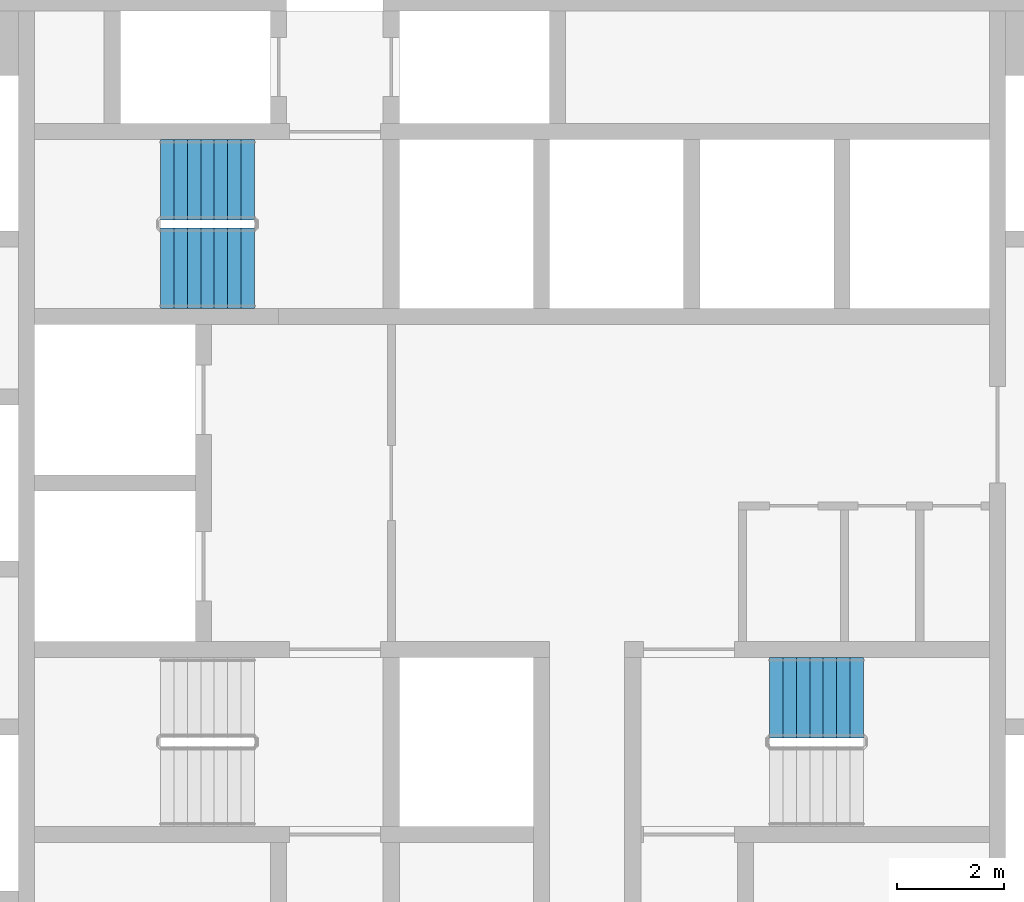
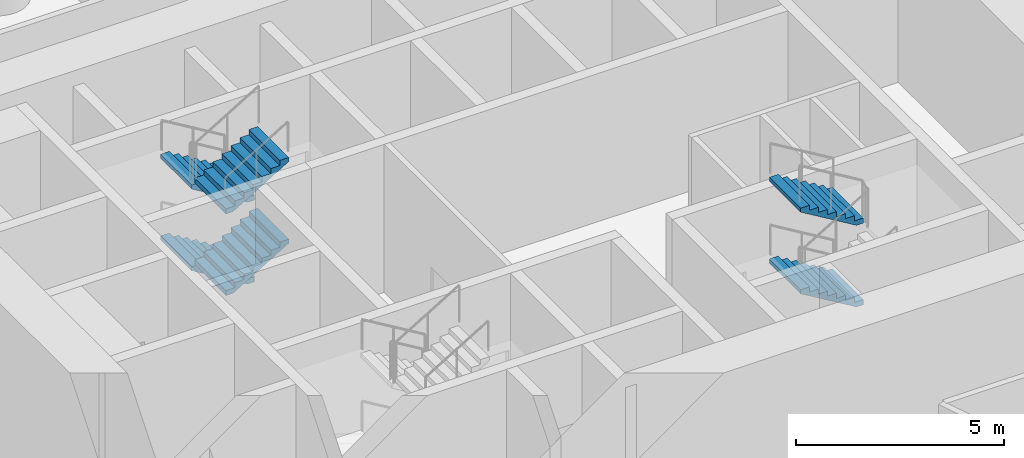
# One storey, part 10 of 11: 6 stair flights, 2 elements without a shape of their own.
"""IFC4 building model written with IfcOpenShell, lengths in metres."""

from ifc_helpers import new_model, si_unit, direction, frame, origin, place, context, subcontext, project, spatial, polyline, outline, extrude, material, type_object, element, aggregate, save


model = new_model("IFC4")

# Units and contexts
model_context = context("Model", 3, precision=1e-05, world=origin(), true_north=direction((0.0, 1.0)))
body_context = subcontext(model_context, "Body", "Model", "MODEL_VIEW")
ifc_project = project(units=[si_unit("LENGTHUNIT", "METRE"), si_unit("AREAUNIT", "SQUARE_METRE"), si_unit("VOLUMEUNIT", "CUBIC_METRE"), si_unit("PLANEANGLEUNIT", "RADIAN"), si_unit("MASSUNIT", "GRAM", prefix="KILO")], contexts=[model_context])

# Site, building, storey
site_placement = place(None, origin())
site = spatial("IfcSite", under=ifc_project, at=site_placement, CompositionType="ELEMENT")
building_placement = place(site_placement, origin())
building = spatial("IfcBuilding", under=site, at=building_placement, Name="Tracery Tower", CompositionType="ELEMENT")
storey_placement = place(building_placement, frame((0.0, 0.0, 9.0)))
storey = spatial("IfcBuildingStorey", under=building, at=storey_placement, Name="L01", CompositionType="ELEMENT", Elevation=9.0)

# Stair, stair flights
ifc_material_1 = material(Name="Concrete C32/40", Category="concrete")
stair_type = type_object("IfcStairType", Name="Core stair 32 risers", PredefinedType="HALF_TURN_STAIR", material=ifc_material_1)
stair_1_placement = place(storey_placement, origin())
stair_1 = element("IfcStair", 1, at=stair_1_placement, inside=storey, type_object=stair_type, Name="L01 stair ST3", PredefinedType="HALF_TURN_STAIR")
ifc_material_2 = material(Name="Concrete C32/40", Category="concrete")
stair_flight_type = type_object("IfcStairFlightType", Name="Core stair flight 8 risers", PredefinedType="STRAIGHT", material=ifc_material_2)
stair_flight_1_placement = place(storey_placement, frame((-4.800048828125, 5.64990234375, 0.0), z_axis=(0.0, 0.0, 1.0), x_axis=(-1.0, 0.0, 0.0)))
stair_flight_1 = element("IfcStairFlight", 2, at=stair_flight_1_placement, type_object=stair_flight_type, Name="ST3 flight 1", NumberOfRisers=8, NumberOfTreads=7, PredefinedType="STRAIGHT", RiserHeight=0.15, TreadLength=0.25, context=body_context, shape_type="SweptSolid", body=[
    extrude(outline(polyline([(0.0, 0.0), (0.0, 0.00244140625), (0.0, 0.0048828125), (0.0, 0.00732421875), (0.0, 0.009765625), (0.0, 0.01220703125), (0.0, 0.0146484375), (0.0, 0.017333984375), (0.0, 0.019775390625), (0.0, 0.022216796875), (0.0, 0.024658203125), (0.0, 0.027099609375), (0.0, 0.029541015625), (0.0, 0.031982421875), (0.0, 0.034423828125), (0.0, 0.036865234375), (0.0, 0.039306640625), (0.0, 0.041748046875), (0.0, 0.044189453125), (0.0, 0.046630859375), (0.0, 0.049072265625), (0.0, 0.0517578125), (0.0, 0.05419921875), (0.0, 0.056640625), (0.0, 0.05908203125), (0.0, 0.0615234375), (0.0, 0.06396484375), (0.0, 0.06640625), (0.0, 0.06884765625), (0.0, 0.0712890625), (0.0, 0.07373046875), (0.0, 0.076171875), (0.0, 0.07861328125), (0.0, 0.0810546875), (0.0, 0.08349609375), (0.0, 0.086181640625), (0.0, 0.088623046875), (0.0, 0.091064453125), (0.0, 0.093505859375), (0.0, 0.095947265625), (0.0, 0.098388671875), (0.0, 0.100830078125), (0.0, 0.103271484375), (0.0, 0.105712890625), (0.0, 0.108154296875), (0.0, 0.110595703125), (0.0, 0.113037109375), (0.0, 0.115478515625), (0.0, 0.117919921875), (0.0, 0.12060546875), (0.0, 0.123046875), (0.0, 0.12548828125), (0.0, 0.1279296875), (0.0, 0.13037109375), (0.0, 0.1328125), (0.0, 0.13525390625), (0.0, 0.1376953125), (0.0, 0.14013671875), (0.0, 0.142578125), (0.0, 0.14501953125), (0.0, 0.1474609375), (0.0, 0.14990234375), (0.25, 0.14990234375), (0.25, 0.300048828125), (0.5, 0.300048828125), (0.5, 0.449951171875), (0.75, 0.449951171875), (0.75, 0.60009765625), (1.0, 0.60009765625), (1.0, 0.75), (1.25, 0.75), (1.25, 0.89990234375), (1.5, 0.89990234375), (1.5, 1.050048828125), (1.75, 1.050048828125), (1.75, 1.048095703125), (1.75, 1.046142578125), (1.75, 1.044189453125), (1.75, 1.042236328125), (1.75, 1.04052734375), (1.75, 1.03857421875), (1.75, 1.03662109375), (1.75, 1.03466796875), (1.75, 1.03271484375), (1.75, 1.03076171875), (1.75, 1.029052734375), (1.75, 1.027099609375), (1.75, 1.025146484375), (1.75, 1.023193359375), (1.75, 1.021240234375), (1.75, 1.019287109375), (1.75, 1.017578125), (1.75, 1.015625), (1.75, 1.013671875), (1.75, 1.01171875), (1.75, 1.009765625), (1.75, 1.0078125), (1.75, 1.006103515625), (1.75, 1.004150390625), (1.75, 1.002197265625), (1.75, 1.000244140625), (1.75, 0.998291015625), (1.75, 0.996337890625), (1.75, 0.994384765625), (1.75, 0.99267578125), (1.75, 0.99072265625), (1.75, 0.98876953125), (1.75, 0.98681640625), (1.75, 0.98486328125), (1.75, 0.98291015625), (1.75, 0.981201171875), (1.75, 0.979248046875), (1.75, 0.977294921875), (1.75, 0.975341796875), (1.75, 0.973388671875), (1.75, 0.971435546875), (1.75, 0.9697265625), (1.75, 0.9677734375), (1.75, 0.9658203125), (1.75, 0.9638671875), (1.75, 0.9619140625), (1.75, 0.9599609375), (1.75, 0.958251953125), (1.75, 0.956298828125), (1.75, 0.954345703125), (1.75, 0.952392578125), (1.75, 0.950439453125), (1.75, 0.948486328125), (1.75, 0.94677734375), (1.75, 0.94482421875), (1.75, 0.94287109375), (1.75, 0.94091796875), (1.75, 0.93896484375), (1.75, 0.93701171875), (1.75, 0.935302734375), (1.75, 0.933349609375), (0.194580078125, 0.0), (0.0, 0.0)])), frame((0.0, 0.75, 0.0), z_axis=(0.0, -1.0, 0.0), x_axis=(1.0, 0.0, 0.0)), (0.0, 0.0, 1.0), 1.5),
])
stair_flight_2_placement = place(storey_placement, frame((-6.550048828125, 4.0, 1.199951171875), z_axis=(0.0, 0.0, 1.0), x_axis=(1.0, 0.0, 0.0)))
stair_flight_2 = element("IfcStairFlight", 3, at=stair_flight_2_placement, type_object=stair_flight_type, Name="ST3 flight 2", NumberOfRisers=8, NumberOfTreads=7, PredefinedType="STRAIGHT", RiserHeight=0.15, TreadLength=0.25, context=body_context, shape_type="SweptSolid", body=[
    extrude(outline(polyline([(0.0, 0.0), (0.0, 0.00244140625), (0.0, 0.0048828125), (0.0, 0.00732421875), (0.0, 0.009765625), (0.0, 0.01220703125), (0.0, 0.0146484375), (0.0, 0.017333984375), (0.0, 0.019775390625), (0.0, 0.022216796875), (0.0, 0.024658203125), (0.0, 0.027099609375), (0.0, 0.029541015625), (0.0, 0.031982421875), (0.0, 0.034423828125), (0.0, 0.036865234375), (0.0, 0.039306640625), (0.0, 0.041748046875), (0.0, 0.044189453125), (0.0, 0.046630859375), (0.0, 0.049072265625), (0.0, 0.0517578125), (0.0, 0.05419921875), (0.0, 0.056640625), (0.0, 0.05908203125), (0.0, 0.0615234375), (0.0, 0.06396484375), (0.0, 0.06640625), (0.0, 0.06884765625), (0.0, 0.0712890625), (0.0, 0.07373046875), (0.0, 0.076171875), (0.0, 0.07861328125), (0.0, 0.0810546875), (0.0, 0.08349609375), (0.0, 0.086181640625), (0.0, 0.088623046875), (0.0, 0.091064453125), (0.0, 0.093505859375), (0.0, 0.095947265625), (0.0, 0.098388671875), (0.0, 0.100830078125), (0.0, 0.103271484375), (0.0, 0.105712890625), (0.0, 0.108154296875), (0.0, 0.110595703125), (0.0, 0.113037109375), (0.0, 0.115478515625), (0.0, 0.117919921875), (0.0, 0.12060546875), (0.0, 0.123046875), (0.0, 0.12548828125), (0.0, 0.1279296875), (0.0, 0.13037109375), (0.0, 0.1328125), (0.0, 0.13525390625), (0.0, 0.1376953125), (0.0, 0.14013671875), (0.0, 0.142578125), (0.0, 0.14501953125), (0.0, 0.1474609375), (0.0, 0.14990234375), (0.25, 0.14990234375), (0.25, 0.300048828125), (0.5, 0.300048828125), (0.5, 0.449951171875), (0.75, 0.449951171875), (0.75, 0.60009765625), (1.0, 0.60009765625), (1.0, 0.75), (1.25, 0.75), (1.25, 0.89990234375), (1.5, 0.89990234375), (1.5, 1.050048828125), (1.75, 1.050048828125), (1.75, 1.048095703125), (1.75, 1.046142578125), (1.75, 1.044189453125), (1.75, 1.042236328125), (1.75, 1.04052734375), (1.75, 1.03857421875), (1.75, 1.03662109375), (1.75, 1.03466796875), (1.75, 1.03271484375), (1.75, 1.03076171875), (1.75, 1.029052734375), (1.75, 1.027099609375), (1.75, 1.025146484375), (1.75, 1.023193359375), (1.75, 1.021240234375), (1.75, 1.019287109375), (1.75, 1.017578125), (1.75, 1.015625), (1.75, 1.013671875), (1.75, 1.01171875), (1.75, 1.009765625), (1.75, 1.0078125), (1.75, 1.006103515625), (1.75, 1.004150390625), (1.75, 1.002197265625), (1.75, 1.000244140625), (1.75, 0.998291015625), (1.75, 0.996337890625), (1.75, 0.994384765625), (1.75, 0.99267578125), (1.75, 0.99072265625), (1.75, 0.98876953125), (1.75, 0.98681640625), (1.75, 0.98486328125), (1.75, 0.98291015625), (1.75, 0.981201171875), (1.75, 0.979248046875), (1.75, 0.977294921875), (1.75, 0.975341796875), (1.75, 0.973388671875), (1.75, 0.971435546875), (1.75, 0.9697265625), (1.75, 0.9677734375), (1.75, 0.9658203125), (1.75, 0.9638671875), (1.75, 0.9619140625), (1.75, 0.9599609375), (1.75, 0.958251953125), (1.75, 0.956298828125), (1.75, 0.954345703125), (1.75, 0.952392578125), (1.75, 0.950439453125), (1.75, 0.948486328125), (1.75, 0.94677734375), (1.75, 0.94482421875), (1.75, 0.94287109375), (1.75, 0.94091796875), (1.75, 0.93896484375), (1.75, 0.93701171875), (1.75, 0.935302734375), (1.75, 0.933349609375), (0.194580078125, 0.0), (0.0, 0.0)])), frame((0.0, 0.75, 0.0), z_axis=(0.0, -1.0, 0.0), x_axis=(1.0, 0.0, 0.0)), (0.0, 0.0, 1.0), 1.5),
])
stair_flight_3_placement = place(storey_placement, frame((-4.800048828125, 5.64990234375, 2.39990234375), z_axis=(0.0, 0.0, 1.0), x_axis=(-1.0, 0.0, 0.0)))
stair_flight_3 = element("IfcStairFlight", 4, at=stair_flight_3_placement, type_object=stair_flight_type, Name="ST3 flight 3", NumberOfRisers=8, NumberOfTreads=7, PredefinedType="STRAIGHT", RiserHeight=0.15, TreadLength=0.25, context=body_context, shape_type="SweptSolid", body=[
    extrude(outline(polyline([(0.0, 0.0), (0.0, 0.00244140625), (0.0, 0.0048828125), (0.0, 0.00732421875), (0.0, 0.009765625), (0.0, 0.01220703125), (0.0, 0.0146484375), (0.0, 0.017333984375), (0.0, 0.019775390625), (0.0, 0.022216796875), (0.0, 0.024658203125), (0.0, 0.027099609375), (0.0, 0.029541015625), (0.0, 0.031982421875), (0.0, 0.034423828125), (0.0, 0.036865234375), (0.0, 0.039306640625), (0.0, 0.041748046875), (0.0, 0.044189453125), (0.0, 0.046630859375), (0.0, 0.049072265625), (0.0, 0.0517578125), (0.0, 0.05419921875), (0.0, 0.056640625), (0.0, 0.05908203125), (0.0, 0.0615234375), (0.0, 0.06396484375), (0.0, 0.06640625), (0.0, 0.06884765625), (0.0, 0.0712890625), (0.0, 0.07373046875), (0.0, 0.076171875), (0.0, 0.07861328125), (0.0, 0.0810546875), (0.0, 0.08349609375), (0.0, 0.086181640625), (0.0, 0.088623046875), (0.0, 0.091064453125), (0.0, 0.093505859375), (0.0, 0.095947265625), (0.0, 0.098388671875), (0.0, 0.100830078125), (0.0, 0.103271484375), (0.0, 0.105712890625), (0.0, 0.108154296875), (0.0, 0.110595703125), (0.0, 0.113037109375), (0.0, 0.115478515625), (0.0, 0.117919921875), (0.0, 0.12060546875), (0.0, 0.123046875), (0.0, 0.12548828125), (0.0, 0.1279296875), (0.0, 0.13037109375), (0.0, 0.1328125), (0.0, 0.13525390625), (0.0, 0.1376953125), (0.0, 0.14013671875), (0.0, 0.142578125), (0.0, 0.14501953125), (0.0, 0.1474609375), (0.0, 0.14990234375), (0.25, 0.14990234375), (0.25, 0.300048828125), (0.5, 0.300048828125), (0.5, 0.449951171875), (0.75, 0.449951171875), (0.75, 0.60009765625), (1.0, 0.60009765625), (1.0, 0.75), (1.25, 0.75), (1.25, 0.89990234375), (1.5, 0.89990234375), (1.5, 1.050048828125), (1.75, 1.050048828125), (1.75, 1.048095703125), (1.75, 1.046142578125), (1.75, 1.044189453125), (1.75, 1.042236328125), (1.75, 1.04052734375), (1.75, 1.03857421875), (1.75, 1.03662109375), (1.75, 1.03466796875), (1.75, 1.03271484375), (1.75, 1.03076171875), (1.75, 1.029052734375), (1.75, 1.027099609375), (1.75, 1.025146484375), (1.75, 1.023193359375), (1.75, 1.021240234375), (1.75, 1.019287109375), (1.75, 1.017578125), (1.75, 1.015625), (1.75, 1.013671875), (1.75, 1.01171875), (1.75, 1.009765625), (1.75, 1.0078125), (1.75, 1.006103515625), (1.75, 1.004150390625), (1.75, 1.002197265625), (1.75, 1.000244140625), (1.75, 0.998291015625), (1.75, 0.996337890625), (1.75, 0.994384765625), (1.75, 0.99267578125), (1.75, 0.99072265625), (1.75, 0.98876953125), (1.75, 0.98681640625), (1.75, 0.98486328125), (1.75, 0.98291015625), (1.75, 0.981201171875), (1.75, 0.979248046875), (1.75, 0.977294921875), (1.75, 0.975341796875), (1.75, 0.973388671875), (1.75, 0.971435546875), (1.75, 0.9697265625), (1.75, 0.9677734375), (1.75, 0.9658203125), (1.75, 0.9638671875), (1.75, 0.9619140625), (1.75, 0.9599609375), (1.75, 0.958251953125), (1.75, 0.956298828125), (1.75, 0.954345703125), (1.75, 0.952392578125), (1.75, 0.950439453125), (1.75, 0.948486328125), (1.75, 0.94677734375), (1.75, 0.94482421875), (1.75, 0.94287109375), (1.75, 0.94091796875), (1.75, 0.93896484375), (1.75, 0.93701171875), (1.75, 0.935302734375), (1.75, 0.933349609375), (0.194580078125, 0.0), (0.0, 0.0)])), frame((0.0, 0.75, 0.0), z_axis=(0.0, -1.0, 0.0), x_axis=(1.0, 0.0, 0.0)), (0.0, 0.0, 1.0), 1.5),
])
stair_flight_4_placement = place(storey_placement, frame((-6.550048828125, 4.0, 3.60009765625), z_axis=(0.0, 0.0, 1.0), x_axis=(1.0, 0.0, 0.0)))
stair_flight_4 = element("IfcStairFlight", 5, at=stair_flight_4_placement, type_object=stair_flight_type, Name="ST3 flight 4", NumberOfRisers=8, NumberOfTreads=7, PredefinedType="STRAIGHT", RiserHeight=0.15, TreadLength=0.25, context=body_context, shape_type="SweptSolid", body=[
    extrude(outline(polyline([(0.0, 0.0), (0.0, 0.00244140625), (0.0, 0.0048828125), (0.0, 0.00732421875), (0.0, 0.009765625), (0.0, 0.01220703125), (0.0, 0.0146484375), (0.0, 0.017333984375), (0.0, 0.019775390625), (0.0, 0.022216796875), (0.0, 0.024658203125), (0.0, 0.027099609375), (0.0, 0.029541015625), (0.0, 0.031982421875), (0.0, 0.034423828125), (0.0, 0.036865234375), (0.0, 0.039306640625), (0.0, 0.041748046875), (0.0, 0.044189453125), (0.0, 0.046630859375), (0.0, 0.049072265625), (0.0, 0.0517578125), (0.0, 0.05419921875), (0.0, 0.056640625), (0.0, 0.05908203125), (0.0, 0.0615234375), (0.0, 0.06396484375), (0.0, 0.06640625), (0.0, 0.06884765625), (0.0, 0.0712890625), (0.0, 0.07373046875), (0.0, 0.076171875), (0.0, 0.07861328125), (0.0, 0.0810546875), (0.0, 0.08349609375), (0.0, 0.086181640625), (0.0, 0.088623046875), (0.0, 0.091064453125), (0.0, 0.093505859375), (0.0, 0.095947265625), (0.0, 0.098388671875), (0.0, 0.100830078125), (0.0, 0.103271484375), (0.0, 0.105712890625), (0.0, 0.108154296875), (0.0, 0.110595703125), (0.0, 0.113037109375), (0.0, 0.115478515625), (0.0, 0.117919921875), (0.0, 0.12060546875), (0.0, 0.123046875), (0.0, 0.12548828125), (0.0, 0.1279296875), (0.0, 0.13037109375), (0.0, 0.1328125), (0.0, 0.13525390625), (0.0, 0.1376953125), (0.0, 0.14013671875), (0.0, 0.142578125), (0.0, 0.14501953125), (0.0, 0.1474609375), (0.0, 0.14990234375), (0.25, 0.14990234375), (0.25, 0.300048828125), (0.5, 0.300048828125), (0.5, 0.449951171875), (0.75, 0.449951171875), (0.75, 0.60009765625), (1.0, 0.60009765625), (1.0, 0.75), (1.25, 0.75), (1.25, 0.89990234375), (1.5, 0.89990234375), (1.5, 1.050048828125), (1.75, 1.050048828125), (1.75, 1.048095703125), (1.75, 1.046142578125), (1.75, 1.044189453125), (1.75, 1.042236328125), (1.75, 1.04052734375), (1.75, 1.03857421875), (1.75, 1.03662109375), (1.75, 1.03466796875), (1.75, 1.03271484375), (1.75, 1.03076171875), (1.75, 1.029052734375), (1.75, 1.027099609375), (1.75, 1.025146484375), (1.75, 1.023193359375), (1.75, 1.021240234375), (1.75, 1.019287109375), (1.75, 1.017578125), (1.75, 1.015625), (1.75, 1.013671875), (1.75, 1.01171875), (1.75, 1.009765625), (1.75, 1.0078125), (1.75, 1.006103515625), (1.75, 1.004150390625), (1.75, 1.002197265625), (1.75, 1.000244140625), (1.75, 0.998291015625), (1.75, 0.996337890625), (1.75, 0.994384765625), (1.75, 0.99267578125), (1.75, 0.99072265625), (1.75, 0.98876953125), (1.75, 0.98681640625), (1.75, 0.98486328125), (1.75, 0.98291015625), (1.75, 0.981201171875), (1.75, 0.979248046875), (1.75, 0.977294921875), (1.75, 0.975341796875), (1.75, 0.973388671875), (1.75, 0.971435546875), (1.75, 0.9697265625), (1.75, 0.9677734375), (1.75, 0.9658203125), (1.75, 0.9638671875), (1.75, 0.9619140625), (1.75, 0.9599609375), (1.75, 0.958251953125), (1.75, 0.956298828125), (1.75, 0.954345703125), (1.75, 0.952392578125), (1.75, 0.950439453125), (1.75, 0.948486328125), (1.75, 0.94677734375), (1.75, 0.94482421875), (1.75, 0.94287109375), (1.75, 0.94091796875), (1.75, 0.93896484375), (1.75, 0.93701171875), (1.75, 0.935302734375), (1.75, 0.933349609375), (0.194580078125, 0.0), (0.0, 0.0)])), frame((0.0, 0.75, 0.0), z_axis=(0.0, -1.0, 0.0), x_axis=(1.0, 0.0, 0.0)), (0.0, 0.0, 1.0), 1.5),
])
aggregate(stair_1, [stair_flight_1, stair_flight_2, stair_flight_3, stair_flight_4])

stair_2_placement = place(storey_placement, origin())
stair_2 = element("IfcStair", 6, at=stair_2_placement, inside=storey, type_object=stair_type, Name="L01 stair ST2", PredefinedType="HALF_TURN_STAIR")
stair_flight_5_placement = place(storey_placement, frame((6.550048828125, -4.0, 1.199951171875), z_axis=(0.0, 0.0, 1.0), x_axis=(-1.0, 0.0, 0.0)))
stair_flight_5 = element("IfcStairFlight", 7, at=stair_flight_5_placement, type_object=stair_flight_type, Name="ST2 flight 2", NumberOfRisers=8, NumberOfTreads=7, PredefinedType="STRAIGHT", RiserHeight=0.15, TreadLength=0.25, context=body_context, shape_type="SweptSolid", body=[
    extrude(outline(polyline([(0.0, 0.0), (0.0, 0.00244140625), (0.0, 0.0048828125), (0.0, 0.00732421875), (0.0, 0.009765625), (0.0, 0.01220703125), (0.0, 0.0146484375), (0.0, 0.017333984375), (0.0, 0.019775390625), (0.0, 0.022216796875), (0.0, 0.024658203125), (0.0, 0.027099609375), (0.0, 0.029541015625), (0.0, 0.031982421875), (0.0, 0.034423828125), (0.0, 0.036865234375), (0.0, 0.039306640625), (0.0, 0.041748046875), (0.0, 0.044189453125), (0.0, 0.046630859375), (0.0, 0.049072265625), (0.0, 0.0517578125), (0.0, 0.05419921875), (0.0, 0.056640625), (0.0, 0.05908203125), (0.0, 0.0615234375), (0.0, 0.06396484375), (0.0, 0.06640625), (0.0, 0.06884765625), (0.0, 0.0712890625), (0.0, 0.07373046875), (0.0, 0.076171875), (0.0, 0.07861328125), (0.0, 0.0810546875), (0.0, 0.08349609375), (0.0, 0.086181640625), (0.0, 0.088623046875), (0.0, 0.091064453125), (0.0, 0.093505859375), (0.0, 0.095947265625), (0.0, 0.098388671875), (0.0, 0.100830078125), (0.0, 0.103271484375), (0.0, 0.105712890625), (0.0, 0.108154296875), (0.0, 0.110595703125), (0.0, 0.113037109375), (0.0, 0.115478515625), (0.0, 0.117919921875), (0.0, 0.12060546875), (0.0, 0.123046875), (0.0, 0.12548828125), (0.0, 0.1279296875), (0.0, 0.13037109375), (0.0, 0.1328125), (0.0, 0.13525390625), (0.0, 0.1376953125), (0.0, 0.14013671875), (0.0, 0.142578125), (0.0, 0.14501953125), (0.0, 0.1474609375), (0.0, 0.14990234375), (0.25, 0.14990234375), (0.25, 0.300048828125), (0.5, 0.300048828125), (0.5, 0.449951171875), (0.75, 0.449951171875), (0.75, 0.60009765625), (1.0, 0.60009765625), (1.0, 0.75), (1.25, 0.75), (1.25, 0.89990234375), (1.5, 0.89990234375), (1.5, 1.050048828125), (1.75, 1.050048828125), (1.75, 1.048095703125), (1.75, 1.046142578125), (1.75, 1.044189453125), (1.75, 1.042236328125), (1.75, 1.04052734375), (1.75, 1.03857421875), (1.75, 1.03662109375), (1.75, 1.03466796875), (1.75, 1.03271484375), (1.75, 1.03076171875), (1.75, 1.029052734375), (1.75, 1.027099609375), (1.75, 1.025146484375), (1.75, 1.023193359375), (1.75, 1.021240234375), (1.75, 1.019287109375), (1.75, 1.017578125), (1.75, 1.015625), (1.75, 1.013671875), (1.75, 1.01171875), (1.75, 1.009765625), (1.75, 1.0078125), (1.75, 1.006103515625), (1.75, 1.004150390625), (1.75, 1.002197265625), (1.75, 1.000244140625), (1.75, 0.998291015625), (1.75, 0.996337890625), (1.75, 0.994384765625), (1.75, 0.99267578125), (1.75, 0.99072265625), (1.75, 0.98876953125), (1.75, 0.98681640625), (1.75, 0.98486328125), (1.75, 0.98291015625), (1.75, 0.981201171875), (1.75, 0.979248046875), (1.75, 0.977294921875), (1.75, 0.975341796875), (1.75, 0.973388671875), (1.75, 0.971435546875), (1.75, 0.9697265625), (1.75, 0.9677734375), (1.75, 0.9658203125), (1.75, 0.9638671875), (1.75, 0.9619140625), (1.75, 0.9599609375), (1.75, 0.958251953125), (1.75, 0.956298828125), (1.75, 0.954345703125), (1.75, 0.952392578125), (1.75, 0.950439453125), (1.75, 0.948486328125), (1.75, 0.94677734375), (1.75, 0.94482421875), (1.75, 0.94287109375), (1.75, 0.94091796875), (1.75, 0.93896484375), (1.75, 0.93701171875), (1.75, 0.935302734375), (1.75, 0.933349609375), (0.194580078125, 0.0), (0.0, 0.0)])), frame((0.0, 0.75, 0.0), z_axis=(0.0, -1.0, 0.0), x_axis=(1.0, 0.0, 0.0)), (0.0, 0.0, 1.0), 1.5),
])
stair_flight_6_placement = place(storey_placement, frame((6.550048828125, -4.0, 3.60009765625), z_axis=(0.0, 0.0, 1.0), x_axis=(-1.0, 0.0, 0.0)))
stair_flight_6 = element("IfcStairFlight", 8, at=stair_flight_6_placement, type_object=stair_flight_type, Name="ST2 flight 4", NumberOfRisers=8, NumberOfTreads=7, PredefinedType="STRAIGHT", RiserHeight=0.15, TreadLength=0.25, context=body_context, shape_type="SweptSolid", body=[
    extrude(outline(polyline([(0.0, 0.0), (0.0, 0.00244140625), (0.0, 0.0048828125), (0.0, 0.00732421875), (0.0, 0.009765625), (0.0, 0.01220703125), (0.0, 0.0146484375), (0.0, 0.017333984375), (0.0, 0.019775390625), (0.0, 0.022216796875), (0.0, 0.024658203125), (0.0, 0.027099609375), (0.0, 0.029541015625), (0.0, 0.031982421875), (0.0, 0.034423828125), (0.0, 0.036865234375), (0.0, 0.039306640625), (0.0, 0.041748046875), (0.0, 0.044189453125), (0.0, 0.046630859375), (0.0, 0.049072265625), (0.0, 0.0517578125), (0.0, 0.05419921875), (0.0, 0.056640625), (0.0, 0.05908203125), (0.0, 0.0615234375), (0.0, 0.06396484375), (0.0, 0.06640625), (0.0, 0.06884765625), (0.0, 0.0712890625), (0.0, 0.07373046875), (0.0, 0.076171875), (0.0, 0.07861328125), (0.0, 0.0810546875), (0.0, 0.08349609375), (0.0, 0.086181640625), (0.0, 0.088623046875), (0.0, 0.091064453125), (0.0, 0.093505859375), (0.0, 0.095947265625), (0.0, 0.098388671875), (0.0, 0.100830078125), (0.0, 0.103271484375), (0.0, 0.105712890625), (0.0, 0.108154296875), (0.0, 0.110595703125), (0.0, 0.113037109375), (0.0, 0.115478515625), (0.0, 0.117919921875), (0.0, 0.12060546875), (0.0, 0.123046875), (0.0, 0.12548828125), (0.0, 0.1279296875), (0.0, 0.13037109375), (0.0, 0.1328125), (0.0, 0.13525390625), (0.0, 0.1376953125), (0.0, 0.14013671875), (0.0, 0.142578125), (0.0, 0.14501953125), (0.0, 0.1474609375), (0.0, 0.14990234375), (0.25, 0.14990234375), (0.25, 0.300048828125), (0.5, 0.300048828125), (0.5, 0.449951171875), (0.75, 0.449951171875), (0.75, 0.60009765625), (1.0, 0.60009765625), (1.0, 0.75), (1.25, 0.75), (1.25, 0.89990234375), (1.5, 0.89990234375), (1.5, 1.050048828125), (1.75, 1.050048828125), (1.75, 1.048095703125), (1.75, 1.046142578125), (1.75, 1.044189453125), (1.75, 1.042236328125), (1.75, 1.04052734375), (1.75, 1.03857421875), (1.75, 1.03662109375), (1.75, 1.03466796875), (1.75, 1.03271484375), (1.75, 1.03076171875), (1.75, 1.029052734375), (1.75, 1.027099609375), (1.75, 1.025146484375), (1.75, 1.023193359375), (1.75, 1.021240234375), (1.75, 1.019287109375), (1.75, 1.017578125), (1.75, 1.015625), (1.75, 1.013671875), (1.75, 1.01171875), (1.75, 1.009765625), (1.75, 1.0078125), (1.75, 1.006103515625), (1.75, 1.004150390625), (1.75, 1.002197265625), (1.75, 1.000244140625), (1.75, 0.998291015625), (1.75, 0.996337890625), (1.75, 0.994384765625), (1.75, 0.99267578125), (1.75, 0.99072265625), (1.75, 0.98876953125), (1.75, 0.98681640625), (1.75, 0.98486328125), (1.75, 0.98291015625), (1.75, 0.981201171875), (1.75, 0.979248046875), (1.75, 0.977294921875), (1.75, 0.975341796875), (1.75, 0.973388671875), (1.75, 0.971435546875), (1.75, 0.9697265625), (1.75, 0.9677734375), (1.75, 0.9658203125), (1.75, 0.9638671875), (1.75, 0.9619140625), (1.75, 0.9599609375), (1.75, 0.958251953125), (1.75, 0.956298828125), (1.75, 0.954345703125), (1.75, 0.952392578125), (1.75, 0.950439453125), (1.75, 0.948486328125), (1.75, 0.94677734375), (1.75, 0.94482421875), (1.75, 0.94287109375), (1.75, 0.94091796875), (1.75, 0.93896484375), (1.75, 0.93701171875), (1.75, 0.935302734375), (1.75, 0.933349609375), (0.194580078125, 0.0), (0.0, 0.0)])), frame((0.0, 0.75, 0.0), z_axis=(0.0, -1.0, 0.0), x_axis=(1.0, 0.0, 0.0)), (0.0, 0.0, 1.0), 1.5),
])
aggregate(stair_2, [stair_flight_5, stair_flight_6])

save(model, "model.ifc")
